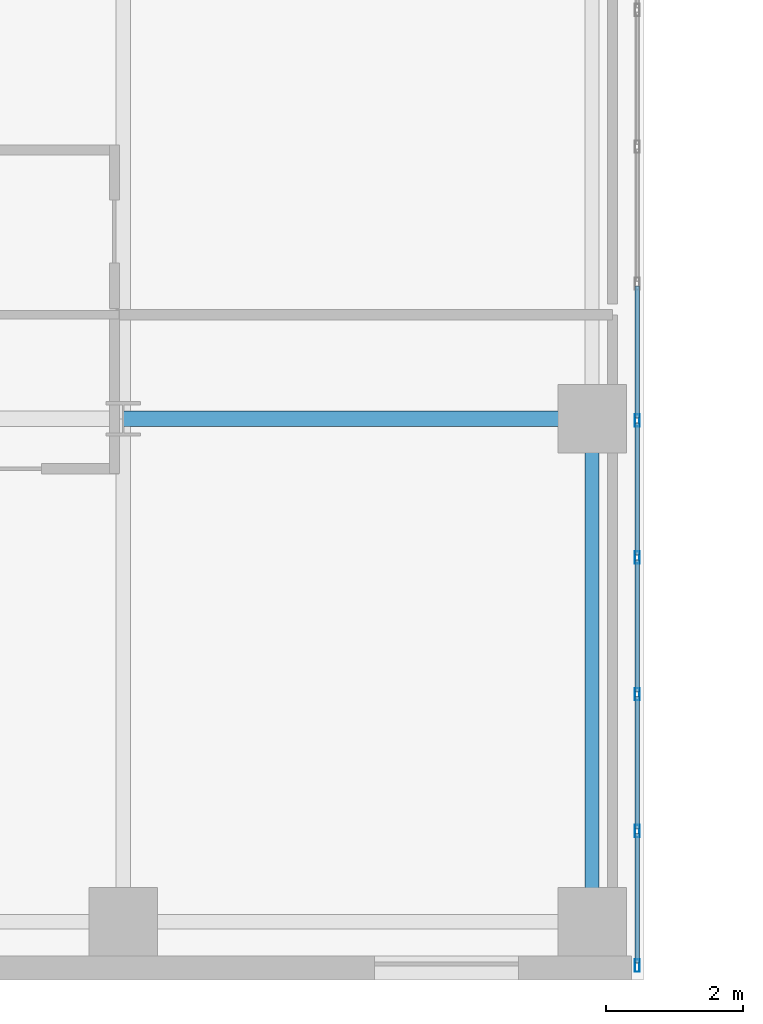
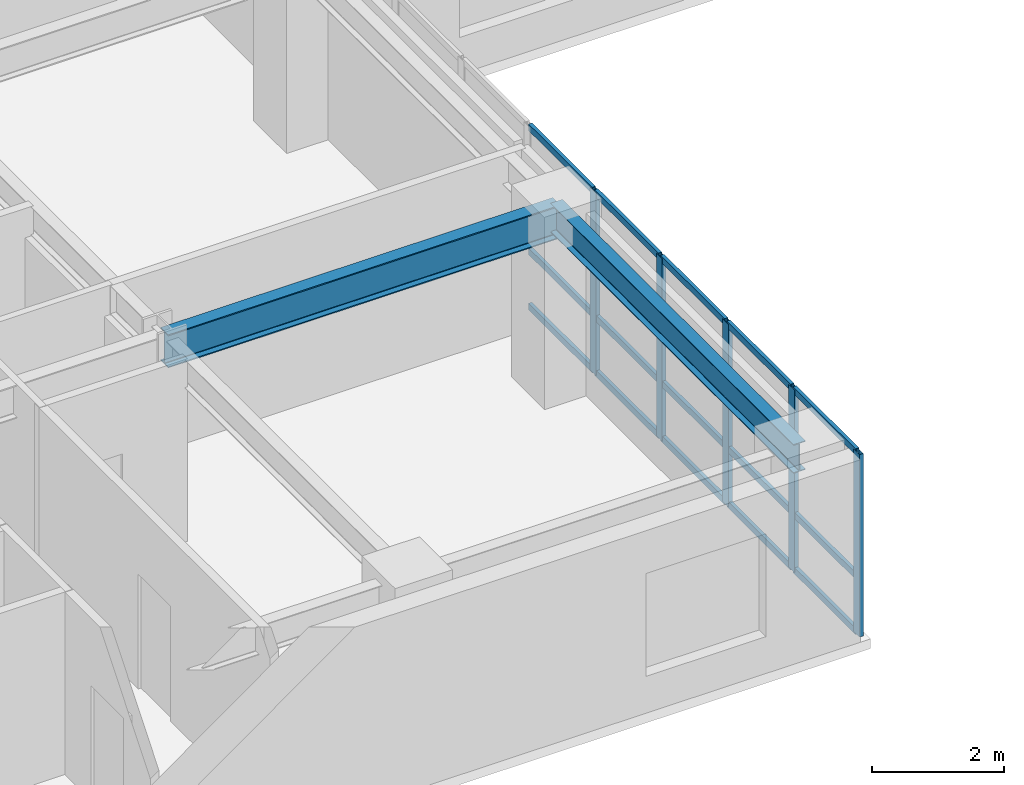
# One storey, part 2 of 16: 20 members, 2 beams, 1 element without a shape of its own.
"""IFC4 building model written with IfcOpenShell, lengths in metres."""

from ifc_helpers import new_model, si_unit, direction, frame, origin, origin_2d, place, context, subcontext, project, spatial, hollow_rectangle, i_section, extrude, source, transform, mapped, material, layer, layer_set, material_profile, profile_set, type_object, type_shapes, element, aggregate, save


model = new_model("IFC4")

# Units and contexts
model_context = context("Model", 3, precision=1e-05, world=origin(), true_north=direction((0.0, 1.0)))
body_context = subcontext(model_context, "Body", "Model", "MODEL_VIEW")
ifc_project = project(units=[si_unit("LENGTHUNIT", "METRE"), si_unit("AREAUNIT", "SQUARE_METRE"), si_unit("VOLUMEUNIT", "CUBIC_METRE"), si_unit("PLANEANGLEUNIT", "RADIAN"), si_unit("MASSUNIT", "GRAM", prefix="KILO")], contexts=[model_context])

# Site, building, storey
site_placement = place(None, origin())
site = spatial("IfcSite", under=ifc_project, at=site_placement, CompositionType="ELEMENT")
building_placement = place(site_placement, origin())
building = spatial("IfcBuilding", under=site, at=building_placement, Name="Tolvann Quenvar Hotel", CompositionType="ELEMENT")
storey_placement = place(building_placement, frame((0.0, 0.0, 63.949951171875)))
storey = spatial("IfcBuildingStorey", under=building, at=storey_placement, Name="L15", CompositionType="ELEMENT", Elevation=63.949951171875)

# Beams
ifc_material_1 = material(Name="Steel Grade 350", Category="steel")
ifc_material_profile_1 = material_profile(ifc_material_1, i_section(OverallWidth=0.22900390625, OverallDepth=0.612060546875, WebThickness=0.011962890625, FlangeThickness=0.01953125, FilletRadius=0.013916015625, at=origin_2d()), Name="610UB125")
ifc_profile_set_1 = profile_set([ifc_material_profile_1], Name="Steel Grade 350")
beam_type_1 = type_object("IfcBeamType", Name="BM_GIRD_610UB125", PredefinedType="BEAM", material=ifc_profile_set_1)
shared_shape_1 = source(origin(), body_context, "Body", "SweptSolid", [
    extrude(i_section(OverallWidth=0.22900390625, OverallDepth=0.612060546875, WebThickness=0.011962890625, FlangeThickness=0.01953125, FilletRadius=0.013916015625, at=origin_2d()), origin(), (0.0, 0.0, 1.0), 6.85009765625),
])
type_shapes(beam_type_1, [shared_shape_1])
beam_1_placement = place(storey_placement, frame((15.199951171875, 8.199951171875, 3.06396484375), z_axis=(1.0, 0.0, 0.0), x_axis=(0.0, 1.0, 0.0)))
element("IfcBeam", 1, at=beam_1_placement, inside=storey, type_object=beam_type_1, Name="BM-L15-EW-3-D3-E3", PredefinedType="BEAM", context=body_context, shape_type="MappedRepresentation", body=[
    mapped(shared_shape_1, transform((0.0, 0.0, 0.0), x_axis=(1.0, 0.0, 0.0), y_axis=(0.0, 1.0, 0.0), z_axis=(0.0, 0.0, 1.0), scale=1.0)),
])
ifc_material_profile_2 = material_profile(ifc_material_1, i_section(OverallWidth=0.208984375, OverallDepth=0.532958984375, WebThickness=0.01025390625, FlangeThickness=0.015625, FilletRadius=0.013916015625, at=origin_2d()), Name="530UB92")
ifc_profile_set_2 = profile_set([ifc_material_profile_2], Name="Steel Grade 350")
beam_type_2 = type_object("IfcBeamType", Name="BM_GIRD_530UB92", PredefinedType="BEAM", material=ifc_profile_set_2)
shared_shape_2 = source(origin(), body_context, "Body", "SweptSolid", [
    extrude(i_section(OverallWidth=0.208984375, OverallDepth=0.532958984375, WebThickness=0.01025390625, FlangeThickness=0.015625, FilletRadius=0.013916015625, at=origin_2d()), origin(), (0.0, 0.0, 1.0), 7.349853515625),
])
type_shapes(beam_type_2, [shared_shape_2])
beam_2_placement = place(storey_placement, frame((22.050048828125, 0.85009765625, 3.103515625), z_axis=(0.0, 1.0, 0.0), x_axis=(-1.0, 0.0, 0.0)))
element("IfcBeam", 2, at=beam_2_placement, inside=storey, type_object=beam_type_2, Name="BM-L15-NS-E2-E3", PredefinedType="BEAM", context=body_context, shape_type="MappedRepresentation", body=[
    mapped(shared_shape_2, transform((0.0, 0.0, 0.0), x_axis=(1.0, 0.0, 0.0), y_axis=(0.0, 1.0, 0.0), z_axis=(0.0, 0.0, 1.0), scale=1.0)),
])

# Curtain wall, members
ifc_material_2 = material(Name="Thermally broken anodised architectural aluminium 6063-T6 and laminated low-E glass", Category="aluminium")
ifc_layer = layer(ifc_material_2, 0.179931640625)
ifc_layer_set = layer_set([ifc_layer], Name="Thermally broken anodised architectural aluminium 6063-T6 and laminated low-E glass")
curtain_wall_type = type_object("IfcCurtainWallType", Name="CW_SYS_SLOT_03", PredefinedType="USERDEFINED", material=ifc_layer_set)
curtain_wall_placement = place(storey_placement, origin())
curtain_wall = element("IfcCurtainWall", 3, at=curtain_wall_placement, inside=storey, type_object=curtain_wall_type, Name="Curtain Wall CW-SLOT-03 (CWR-L15-E05)", ObjectType="UNITISED CURTAIN WALL", PredefinedType="USERDEFINED")
ifc_material_3 = material(Name="Anodised architectural aluminium 6063-T6 framing", Category="aluminium")
ifc_material_profile_3 = material_profile(ifc_material_3, hollow_rectangle(XDim=0.070068359375, YDim=0.179931640625, WallThickness=0.00390625, at=origin_2d()), Name="180x70x4RHS")
ifc_profile_set_3 = profile_set([ifc_material_profile_3], Name="Anodised architectural aluminium 6063-T6 framing")
member_type_1 = type_object("IfcMemberType", Name="CW_MULL_180x70", PredefinedType="MULLION", material=ifc_profile_set_3)
shared_shape_3 = source(origin(), body_context, "Body", "SweptSolid", [
    extrude(hollow_rectangle(XDim=0.070068359375, YDim=0.179931640625, WallThickness=0.00390625, at=origin_2d()), origin(), (0.0, 0.0, 1.0), 3.3701171875),
])
type_shapes(member_type_1, [shared_shape_3])
member_1_placement = place(storey_placement, frame((22.7099609375, 0.2099609375, 0.0), z_axis=(0.0, 0.0, 1.0), x_axis=(-1.0, 0.0, 0.0)))
member_1 = element("IfcMember", 4, at=member_1_placement, type_object=member_type_1, Name="CW-SLOT-03 mullion 1", PredefinedType="MULLION", context=body_context, shape_type="MappedRepresentation", body=[
    mapped(shared_shape_3, transform((0.0, 0.0, 0.0), x_axis=(1.0, 0.0, 0.0), y_axis=(0.0, 1.0, 0.0), z_axis=(0.0, 0.0, 1.0), scale=1.0)),
])
member_2_placement = place(storey_placement, frame((22.7099609375, 2.175048828125, 0.0), z_axis=(0.0, 0.0, 1.0), x_axis=(-1.0, 0.0, 0.0)))
member_2 = element("IfcMember", 5, at=member_2_placement, type_object=member_type_1, Name="CW-SLOT-03 mullion 2", PredefinedType="MULLION", context=body_context, shape_type="MappedRepresentation", body=[
    mapped(shared_shape_3, transform((0.0, 0.0, 0.0), x_axis=(1.0, 0.0, 0.0), y_axis=(0.0, 1.0, 0.0), z_axis=(0.0, 0.0, 1.0), scale=1.0)),
])
member_3_placement = place(storey_placement, frame((22.7099609375, 4.175048828125, 0.0), z_axis=(0.0, 0.0, 1.0), x_axis=(-1.0, 0.0, 0.0)))
member_3 = element("IfcMember", 6, at=member_3_placement, type_object=member_type_1, Name="CW-SLOT-03 mullion 3", PredefinedType="MULLION", context=body_context, shape_type="MappedRepresentation", body=[
    mapped(shared_shape_3, transform((0.0, 0.0, 0.0), x_axis=(1.0, 0.0, 0.0), y_axis=(0.0, 1.0, 0.0), z_axis=(0.0, 0.0, 1.0), scale=1.0)),
])
member_4_placement = place(storey_placement, frame((22.7099609375, 6.175048828125, 0.0), z_axis=(0.0, 0.0, 1.0), x_axis=(-1.0, 0.0, 0.0)))
member_4 = element("IfcMember", 7, at=member_4_placement, type_object=member_type_1, Name="CW-SLOT-03 mullion 4", PredefinedType="MULLION", context=body_context, shape_type="MappedRepresentation", body=[
    mapped(shared_shape_3, transform((0.0, 0.0, 0.0), x_axis=(1.0, 0.0, 0.0), y_axis=(0.0, 1.0, 0.0), z_axis=(0.0, 0.0, 1.0), scale=1.0)),
])
member_5_placement = place(storey_placement, frame((22.7099609375, 8.175048828125, 0.0), z_axis=(0.0, 0.0, 1.0), x_axis=(-1.0, 0.0, 0.0)))
member_5 = element("IfcMember", 8, at=member_5_placement, type_object=member_type_1, Name="CW-SLOT-03 mullion 5", PredefinedType="MULLION", context=body_context, shape_type="MappedRepresentation", body=[
    mapped(shared_shape_3, transform((0.0, 0.0, 0.0), x_axis=(1.0, 0.0, 0.0), y_axis=(0.0, 1.0, 0.0), z_axis=(0.0, 0.0, 1.0), scale=1.0)),
])
ifc_material_profile_4 = material_profile(ifc_material_3, hollow_rectangle(XDim=0.06005859375, YDim=0.1201171875, WallThickness=0.00341796875, at=origin_2d()), Name="120x60x3.5RHS")
ifc_profile_set_4 = profile_set([ifc_material_profile_4], Name="Anodised architectural aluminium 6063-T6 framing")
member_type_2 = type_object("IfcMemberType", Name="CW_TRAN_120x60", PredefinedType="USERDEFINED", material=ifc_profile_set_4)
shared_shape_4 = source(origin(), body_context, "Body", "SweptSolid", [
    extrude(hollow_rectangle(XDim=0.06005859375, YDim=0.1201171875, WallThickness=0.00341796875, at=origin_2d()), origin(), (0.0, 0.0, 1.0), 1.894775390625),
])
member_6_placement = place(storey_placement, frame((22.7099609375, 0.2451171875, 0.030029296875), z_axis=(0.0, 1.0, 0.0), x_axis=(-1.0, 0.0, 0.0)))
member_6 = element("IfcMember", 9, at=member_6_placement, type_object=member_type_2, Name="CW-SLOT-03 transom 1.1", ObjectType="TRANSOM", PredefinedType="USERDEFINED", context=body_context, shape_type="MappedRepresentation", body=[
    mapped(shared_shape_4, transform((0.0, 0.0, 0.0), x_axis=(1.0, 0.0, 0.0), y_axis=(0.0, 1.0, 0.0), z_axis=(0.0, 0.0, 1.0), scale=1.0)),
])
member_7_placement = place(storey_placement, frame((22.7099609375, 0.2451171875, 1.050048828125), z_axis=(0.0, 1.0, 0.0), x_axis=(-1.0, 0.0, 0.0)))
member_7 = element("IfcMember", 10, at=member_7_placement, type_object=member_type_2, Name="CW-SLOT-03 transom 1.2", ObjectType="TRANSOM", PredefinedType="USERDEFINED", context=body_context, shape_type="MappedRepresentation", body=[
    mapped(shared_shape_4, transform((0.0, 0.0, 0.0), x_axis=(1.0, 0.0, 0.0), y_axis=(0.0, 1.0, 0.0), z_axis=(0.0, 0.0, 1.0), scale=1.0)),
])
member_8_placement = place(storey_placement, frame((22.7099609375, 0.2451171875, 3.340087890625), z_axis=(0.0, 1.0, 0.0), x_axis=(-1.0, 0.0, 0.0)))
member_8 = element("IfcMember", 11, at=member_8_placement, type_object=member_type_2, Name="CW-SLOT-03 transom 1.3", ObjectType="TRANSOM", PredefinedType="USERDEFINED", context=body_context, shape_type="MappedRepresentation", body=[
    mapped(shared_shape_4, transform((0.0, 0.0, 0.0), x_axis=(1.0, 0.0, 0.0), y_axis=(0.0, 1.0, 0.0), z_axis=(0.0, 0.0, 1.0), scale=1.0)),
])
shared_shape_5 = source(origin(), body_context, "Body", "SweptSolid", [
    extrude(hollow_rectangle(XDim=0.06005859375, YDim=0.1201171875, WallThickness=0.00341796875, at=origin_2d()), origin(), (0.0, 0.0, 1.0), 1.929931640625),
])
type_shapes(member_type_2, [shared_shape_4, shared_shape_5])
member_9_placement = place(storey_placement, frame((22.7099609375, 2.2099609375, 0.030029296875), z_axis=(0.0, 1.0, 0.0), x_axis=(-1.0, 0.0, 0.0)))
member_9 = element("IfcMember", 12, at=member_9_placement, type_object=member_type_2, Name="CW-SLOT-03 transom 2.1", ObjectType="TRANSOM", PredefinedType="USERDEFINED", context=body_context, shape_type="MappedRepresentation", body=[
    mapped(shared_shape_5, transform((0.0, 0.0, 0.0), x_axis=(1.0, 0.0, 0.0), y_axis=(0.0, 1.0, 0.0), z_axis=(0.0, 0.0, 1.0), scale=1.0)),
])
member_10_placement = place(storey_placement, frame((22.7099609375, 2.2099609375, 1.050048828125), z_axis=(0.0, 1.0, 0.0), x_axis=(-1.0, 0.0, 0.0)))
member_10 = element("IfcMember", 13, at=member_10_placement, type_object=member_type_2, Name="CW-SLOT-03 transom 2.2", ObjectType="TRANSOM", PredefinedType="USERDEFINED", context=body_context, shape_type="MappedRepresentation", body=[
    mapped(shared_shape_5, transform((0.0, 0.0, 0.0), x_axis=(1.0, 0.0, 0.0), y_axis=(0.0, 1.0, 0.0), z_axis=(0.0, 0.0, 1.0), scale=1.0)),
])
member_11_placement = place(storey_placement, frame((22.7099609375, 2.2099609375, 3.340087890625), z_axis=(0.0, 1.0, 0.0), x_axis=(-1.0, 0.0, 0.0)))
member_11 = element("IfcMember", 14, at=member_11_placement, type_object=member_type_2, Name="CW-SLOT-03 transom 2.3", ObjectType="TRANSOM", PredefinedType="USERDEFINED", context=body_context, shape_type="MappedRepresentation", body=[
    mapped(shared_shape_5, transform((0.0, 0.0, 0.0), x_axis=(1.0, 0.0, 0.0), y_axis=(0.0, 1.0, 0.0), z_axis=(0.0, 0.0, 1.0), scale=1.0)),
])
member_12_placement = place(storey_placement, frame((22.7099609375, 4.2099609375, 0.030029296875), z_axis=(0.0, 1.0, 0.0), x_axis=(-1.0, 0.0, 0.0)))
member_12 = element("IfcMember", 15, at=member_12_placement, type_object=member_type_2, Name="CW-SLOT-03 transom 3.1", ObjectType="TRANSOM", PredefinedType="USERDEFINED", context=body_context, shape_type="MappedRepresentation", body=[
    mapped(shared_shape_5, transform((0.0, 0.0, 0.0), x_axis=(1.0, 0.0, 0.0), y_axis=(0.0, 1.0, 0.0), z_axis=(0.0, 0.0, 1.0), scale=1.0)),
])
member_13_placement = place(storey_placement, frame((22.7099609375, 4.2099609375, 1.050048828125), z_axis=(0.0, 1.0, 0.0), x_axis=(-1.0, 0.0, 0.0)))
member_13 = element("IfcMember", 16, at=member_13_placement, type_object=member_type_2, Name="CW-SLOT-03 transom 3.2", ObjectType="TRANSOM", PredefinedType="USERDEFINED", context=body_context, shape_type="MappedRepresentation", body=[
    mapped(shared_shape_5, transform((0.0, 0.0, 0.0), x_axis=(1.0, 0.0, 0.0), y_axis=(0.0, 1.0, 0.0), z_axis=(0.0, 0.0, 1.0), scale=1.0)),
])
member_14_placement = place(storey_placement, frame((22.7099609375, 4.2099609375, 3.340087890625), z_axis=(0.0, 1.0, 0.0), x_axis=(-1.0, 0.0, 0.0)))
member_14 = element("IfcMember", 17, at=member_14_placement, type_object=member_type_2, Name="CW-SLOT-03 transom 3.3", ObjectType="TRANSOM", PredefinedType="USERDEFINED", context=body_context, shape_type="MappedRepresentation", body=[
    mapped(shared_shape_5, transform((0.0, 0.0, 0.0), x_axis=(1.0, 0.0, 0.0), y_axis=(0.0, 1.0, 0.0), z_axis=(0.0, 0.0, 1.0), scale=1.0)),
])
member_15_placement = place(storey_placement, frame((22.7099609375, 6.2099609375, 0.030029296875), z_axis=(0.0, 1.0, 0.0), x_axis=(-1.0, 0.0, 0.0)))
member_15 = element("IfcMember", 18, at=member_15_placement, type_object=member_type_2, Name="CW-SLOT-03 transom 4.1", ObjectType="TRANSOM", PredefinedType="USERDEFINED", context=body_context, shape_type="MappedRepresentation", body=[
    mapped(shared_shape_5, transform((0.0, 0.0, 0.0), x_axis=(1.0, 0.0, 0.0), y_axis=(0.0, 1.0, 0.0), z_axis=(0.0, 0.0, 1.0), scale=1.0)),
])
member_16_placement = place(storey_placement, frame((22.7099609375, 6.2099609375, 1.050048828125), z_axis=(0.0, 1.0, 0.0), x_axis=(-1.0, 0.0, 0.0)))
member_16 = element("IfcMember", 19, at=member_16_placement, type_object=member_type_2, Name="CW-SLOT-03 transom 4.2", ObjectType="TRANSOM", PredefinedType="USERDEFINED", context=body_context, shape_type="MappedRepresentation", body=[
    mapped(shared_shape_5, transform((0.0, 0.0, 0.0), x_axis=(1.0, 0.0, 0.0), y_axis=(0.0, 1.0, 0.0), z_axis=(0.0, 0.0, 1.0), scale=1.0)),
])
member_17_placement = place(storey_placement, frame((22.7099609375, 6.2099609375, 3.340087890625), z_axis=(0.0, 1.0, 0.0), x_axis=(-1.0, 0.0, 0.0)))
member_17 = element("IfcMember", 20, at=member_17_placement, type_object=member_type_2, Name="CW-SLOT-03 transom 4.3", ObjectType="TRANSOM", PredefinedType="USERDEFINED", context=body_context, shape_type="MappedRepresentation", body=[
    mapped(shared_shape_5, transform((0.0, 0.0, 0.0), x_axis=(1.0, 0.0, 0.0), y_axis=(0.0, 1.0, 0.0), z_axis=(0.0, 0.0, 1.0), scale=1.0)),
])
member_18_placement = place(storey_placement, frame((22.7099609375, 8.2099609375, 0.030029296875), z_axis=(0.0, 1.0, 0.0), x_axis=(-1.0, 0.0, 0.0)))
member_18 = element("IfcMember", 21, at=member_18_placement, type_object=member_type_2, Name="CW-SLOT-03 transom 5.1", ObjectType="TRANSOM", PredefinedType="USERDEFINED", context=body_context, shape_type="MappedRepresentation", body=[
    mapped(shared_shape_5, transform((0.0, 0.0, 0.0), x_axis=(1.0, 0.0, 0.0), y_axis=(0.0, 1.0, 0.0), z_axis=(0.0, 0.0, 1.0), scale=1.0)),
])
member_19_placement = place(storey_placement, frame((22.7099609375, 8.2099609375, 1.050048828125), z_axis=(0.0, 1.0, 0.0), x_axis=(-1.0, 0.0, 0.0)))
member_19 = element("IfcMember", 22, at=member_19_placement, type_object=member_type_2, Name="CW-SLOT-03 transom 5.2", ObjectType="TRANSOM", PredefinedType="USERDEFINED", context=body_context, shape_type="MappedRepresentation", body=[
    mapped(shared_shape_5, transform((0.0, 0.0, 0.0), x_axis=(1.0, 0.0, 0.0), y_axis=(0.0, 1.0, 0.0), z_axis=(0.0, 0.0, 1.0), scale=1.0)),
])
member_20_placement = place(storey_placement, frame((22.7099609375, 8.2099609375, 3.340087890625), z_axis=(0.0, 1.0, 0.0), x_axis=(-1.0, 0.0, 0.0)))
member_20 = element("IfcMember", 23, at=member_20_placement, type_object=member_type_2, Name="CW-SLOT-03 transom 5.3", ObjectType="TRANSOM", PredefinedType="USERDEFINED", context=body_context, shape_type="MappedRepresentation", body=[
    mapped(shared_shape_5, transform((0.0, 0.0, 0.0), x_axis=(1.0, 0.0, 0.0), y_axis=(0.0, 1.0, 0.0), z_axis=(0.0, 0.0, 1.0), scale=1.0)),
])
aggregate(curtain_wall, [member_1, member_2, member_3, member_4, member_5, member_6, member_7, member_8, member_9, member_10, member_11, member_12, member_13, member_14, member_15, member_16, member_17, member_18, member_19, member_20])

save(model, "model.ifc")
